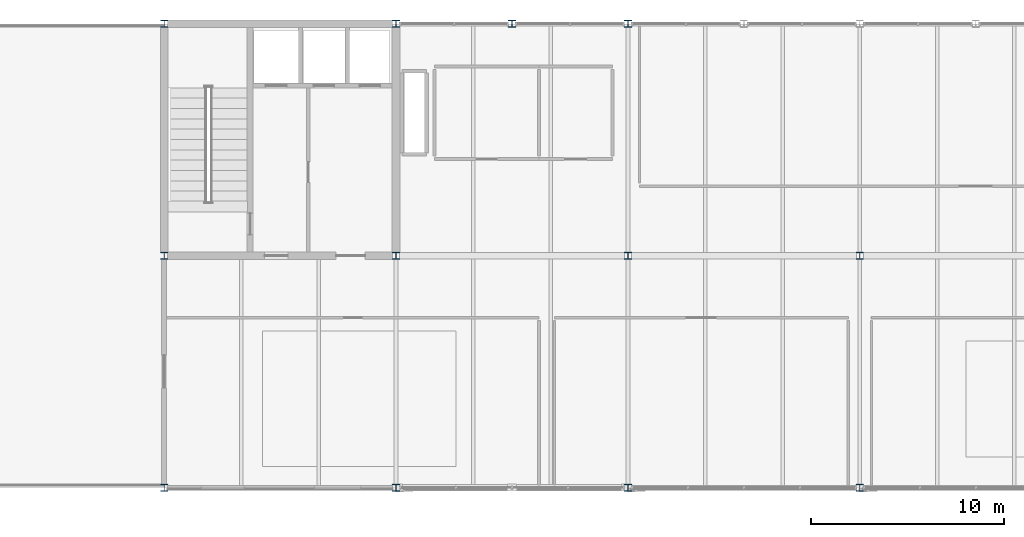
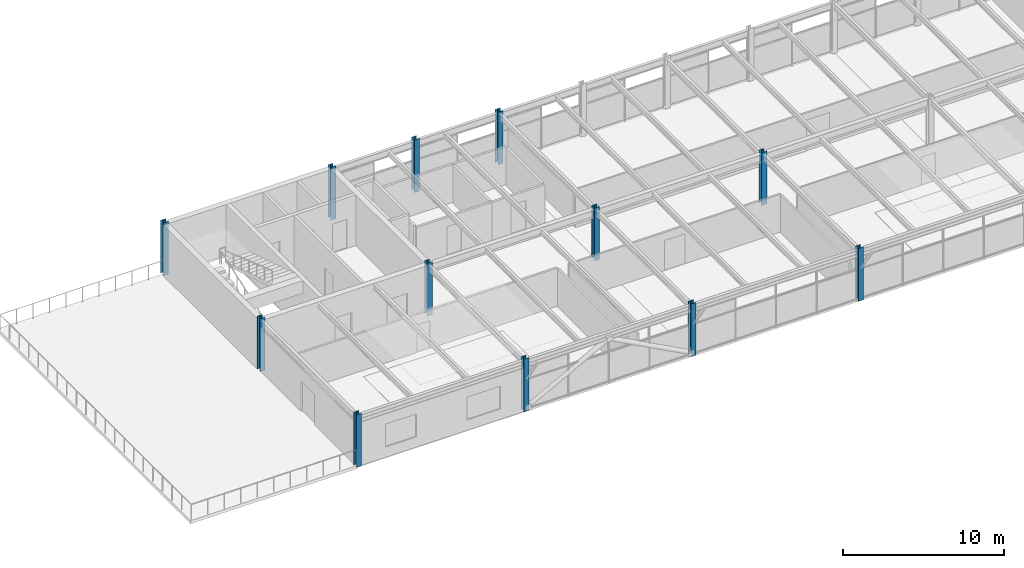
# One storey, part 1 of 32: 12 columns.
"""IFC4 building model written with IfcOpenShell, lengths in metres."""

from ifc_helpers import new_model, si_unit, direction, frame, origin, origin_2d, place, context, subcontext, project, spatial, i_section, extrude, material, material_profile, profile_set, type_object, element, save


model = new_model("IFC4")

# Units and contexts
model_context = context("Model", 3, precision=1e-05, world=origin(), true_north=direction((0.0, 1.0)))
body_context = subcontext(model_context, "Body", "Model", "MODEL_VIEW")
ifc_project = project(units=[si_unit("LENGTHUNIT", "METRE"), si_unit("AREAUNIT", "SQUARE_METRE"), si_unit("VOLUMEUNIT", "CUBIC_METRE"), si_unit("PLANEANGLEUNIT", "RADIAN"), si_unit("MASSUNIT", "GRAM", prefix="KILO")], contexts=[model_context])

# Site, building, storey
site_placement = place(None, origin())
site = spatial("IfcSite", under=ifc_project, at=site_placement, CompositionType="ELEMENT")
building_placement = place(site_placement, origin())
building = spatial("IfcBuilding", under=site, at=building_placement, Name="Girod Span Mobility Hub", CompositionType="ELEMENT")
storey_placement = place(building_placement, frame((0.0, 0.0, 61.60009765625)))
storey = spatial("IfcBuildingStorey", under=building, at=storey_placement, Name="L15", CompositionType="ELEMENT", Elevation=61.60009765625)

# Columns
ifc_material = material(Name="Steel A992 Grade 50", Category="steel")
ifc_material_profile = material_profile(ifc_material, i_section(OverallWidth=0.368896484375, OverallDepth=0.35595703125, WebThickness=0.01123046875, FlangeThickness=0.01806640625, FilletRadius=0.01806640625, at=origin_2d()), Name="W14X90")
ifc_profile_set = profile_set([ifc_material_profile], Name="Steel A992 Grade 50")
column_type = type_object("IfcColumnType", Name="COL-STL-W14X90", PredefinedType="COLUMN", material=ifc_profile_set)
for number, where, z_axis, x_axis, name in (
    (1, (48.0, 45.0, 0.0), (0.0, 0.0, 1.0), (1.0, 0.0, 0.0), "Column 5D L15"),
    (2, (48.0, 57.0, 0.0), (0.0, 0.0, 1.0), (1.0, 0.0, 0.0), "Column 5E L15"),
    (3, (48.0, 69.0, 0.0), (0.0, 0.0, 1.0), (1.0, 0.0, 0.0), "Column 5F L15"),
    (4, (60.0, 45.0, 0.0), (0.0, 0.0, 1.0), (1.0, 0.0, 0.0), "Column 6D L15"),
    (5, (60.0, 57.0, 0.0), (0.0, 0.0, 1.0), (1.0, 0.0, 0.0), "Column 6E L15"),
    (6, (60.0, 69.0, 0.0), (0.0, 0.0, 1.0), (1.0, 0.0, 0.0), "Column 6F L15"),
    (7, (72.0, 45.0, 0.0), (0.0, 0.0, 1.0), (1.0, 0.0, 0.0), "Column 7D L15"),
    (8, (72.0, 57.0, 0.0), (0.0, 0.0, 1.0), (1.0, 0.0, 0.0), "Column 7E L15"),
    (9, (72.0, 69.0, 0.0), (0.0, 0.0, 1.0), (1.0, 0.0, 0.0), "Column 7F L15"),
    (10, (84.0, 45.0, 0.0), (0.0, 0.0, 1.0), (1.0, 0.0, 0.0), "Column 8D L15"),
    (11, (84.0, 57.0, 0.0), (0.0, 0.0, 1.0), (1.0, 0.0, 0.0), "Column 8E L15"),
    (12, (66.0, 69.0, 0.0), (0.0, 0.0, 1.0), (1.0, 0.0, 0.0), "Facade Intermediate Column INT-1 L15"),
):
    element("IfcColumn", number, at=place(storey_placement, frame(where, z_axis=z_axis, x_axis=x_axis)), inside=storey, type_object=column_type, Name=name, PredefinedType="COLUMN", context=body_context, shape_type="SweptSolid", body=[
        extrude(i_section(OverallWidth=0.368896484375, OverallDepth=0.35595703125, WebThickness=0.01123046875, FlangeThickness=0.01806640625, FilletRadius=0.01806640625, at=origin_2d()), origin(), (0.0, 0.0, 1.0), 4.0),
    ])

save(model, "model.ifc")
